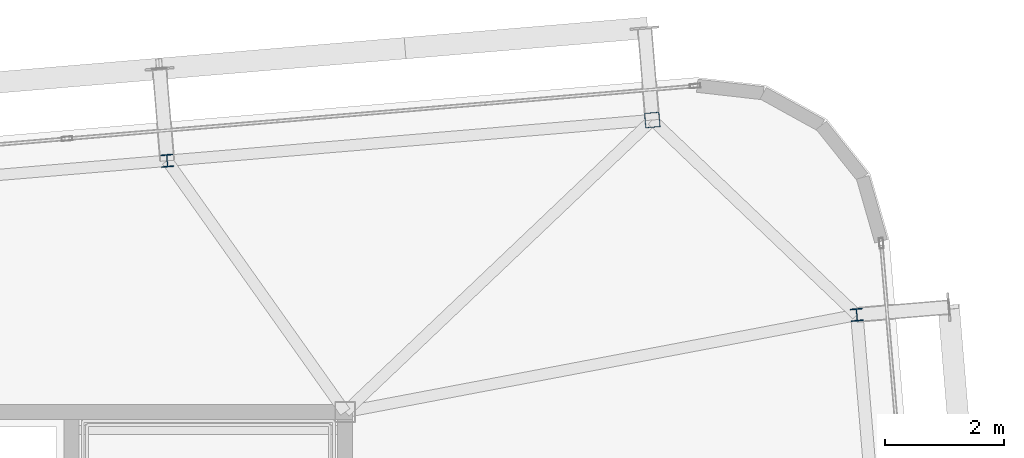
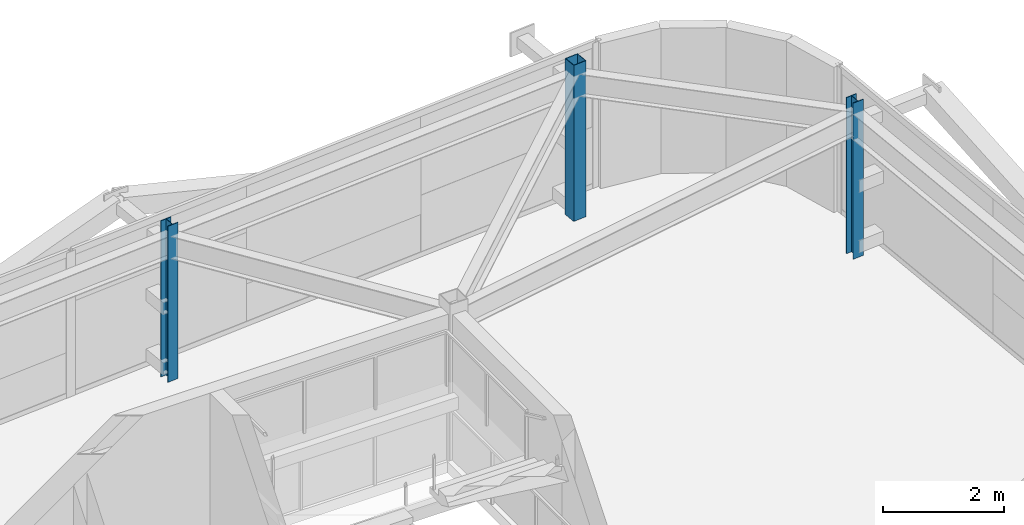
# One storey, part 6 of 37: 3 columns.
"""IFC4 building model written with IfcOpenShell, lengths in metres."""

from ifc_helpers import new_model, si_unit, direction, frame, origin, origin_2d, place, context, subcontext, project, spatial, hollow_rectangle, i_section, extrude, source, transform, mapped, material, material_profile, profile_set, type_object, element, save


model = new_model("IFC4")

# Units and contexts
model_context = context("Model", 3, precision=1e-05, world=origin(), true_north=direction((0.0, 1.0)))
body_context = subcontext(model_context, "Body", "Model", "MODEL_VIEW")
ifc_project = project(units=[si_unit("LENGTHUNIT", "METRE"), si_unit("AREAUNIT", "SQUARE_METRE"), si_unit("VOLUMEUNIT", "CUBIC_METRE"), si_unit("PLANEANGLEUNIT", "RADIAN"), si_unit("MASSUNIT", "GRAM", prefix="KILO")], contexts=[model_context])

# Site, building, storey
site_placement = place(None, origin())
site = spatial("IfcSite", under=ifc_project, at=site_placement, CompositionType="ELEMENT")
building_placement = place(site_placement, origin())
building = spatial("IfcBuilding", under=site, at=building_placement, Name="Taldren Reach Tower", CompositionType="ELEMENT")
storey_placement = place(building_placement, frame((0.0, 0.0, 200.89990234375)))
storey = spatial("IfcBuildingStorey", under=building, at=storey_placement, Name="L61", CompositionType="ELEMENT", Elevation=200.89990234375)

# Columns
ifc_material_1 = material(Name="Steel Gr 350 (C350L0)", Category="steel")
ifc_material_profile_1 = material_profile(ifc_material_1, hollow_rectangle(XDim=0.25, YDim=0.25, WallThickness=0.010009765625, at=origin_2d()), Name="250x250x10.0SHS")
ifc_profile_set_1 = profile_set([ifc_material_profile_1], Name="Steel Gr 350 (C350L0)")
column_type_1 = type_object("IfcColumnType", Name="COL-SHS250", PredefinedType="COLUMN", material=ifc_profile_set_1)
shared_shape_1 = source(origin(), body_context, "Body", "SweptSolid", [
    extrude(hollow_rectangle(XDim=0.25, YDim=0.25, WallThickness=0.010009765625, at=origin_2d()), origin(), (0.0, 0.0, 1.0), 3.150146484375),
])
column_placement = place(storey_placement, frame((56.160400390625, 36.906005859375, 0.0), z_axis=(0.0, 0.0, 1.0), x_axis=(0.99649285925, 0.083677843332, 0.0)))
element("IfcColumn", 1, at=column_placement, inside=storey, type_object=column_type_1, Name="Block B4 perimeter column N6 L61", PredefinedType="COLUMN", context=body_context, shape_type="MappedRepresentation", body=[
    mapped(shared_shape_1, transform((0.0, 0.0, 0.0), scale=1.0)),
])
ifc_material_2 = material(Name="Steel Gr 350 (350PLUS)", Category="steel")
ifc_material_profile_2 = material_profile(ifc_material_2, i_section(OverallWidth=0.205078125, OverallDepth=0.2099609375, WebThickness=0.00927734375, FlangeThickness=0.01416015625, at=origin_2d()), Name="200UC59.5")
ifc_profile_set_2 = profile_set([ifc_material_profile_2], Name="Steel Gr 350 (350PLUS)")
column_type_2 = type_object("IfcColumnType", Name="COL-UC200", PredefinedType="COLUMN", material=ifc_profile_set_2)
shared_shape_2 = source(origin(), body_context, "Body", "SweptSolid", [
    extrude(i_section(OverallWidth=0.205078125, OverallDepth=0.2099609375, WebThickness=0.00927734375, FlangeThickness=0.01416015625, at=origin_2d()), origin(), (0.0, 0.0, 1.0), 3.150146484375),
])
for number, where, z_axis, x_axis, name in (
    (2, (48.009033203125, 36.221435546875, 0.0), (0.0, 0.0, 1.0), (0.99649285925, 0.083677843332, 0.0), "Block B4 perimeter column N5 L61"),
    (3, (59.596435546875, 33.632080078125, 0.0), (0.0, 0.0, 1.0), (0.99649285925, 0.083677843332, 0.0), "Block B4 perimeter column E3 L61"),
):
    element("IfcColumn", number, at=place(storey_placement, frame(where, z_axis=z_axis, x_axis=x_axis)), inside=storey, type_object=column_type_2, Name=name, PredefinedType="COLUMN", context=body_context, shape_type="MappedRepresentation", body=[
        mapped(shared_shape_2, transform((0.0, 0.0, 0.0), scale=1.0)),
    ])

save(model, "model.ifc")
